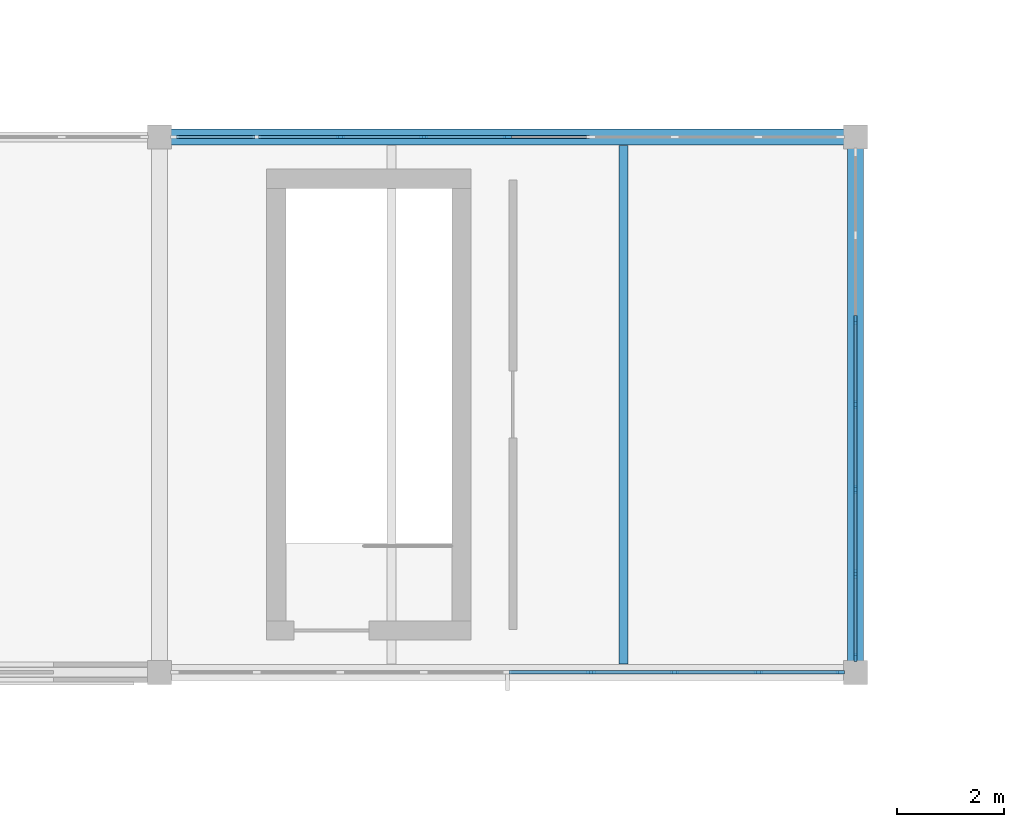
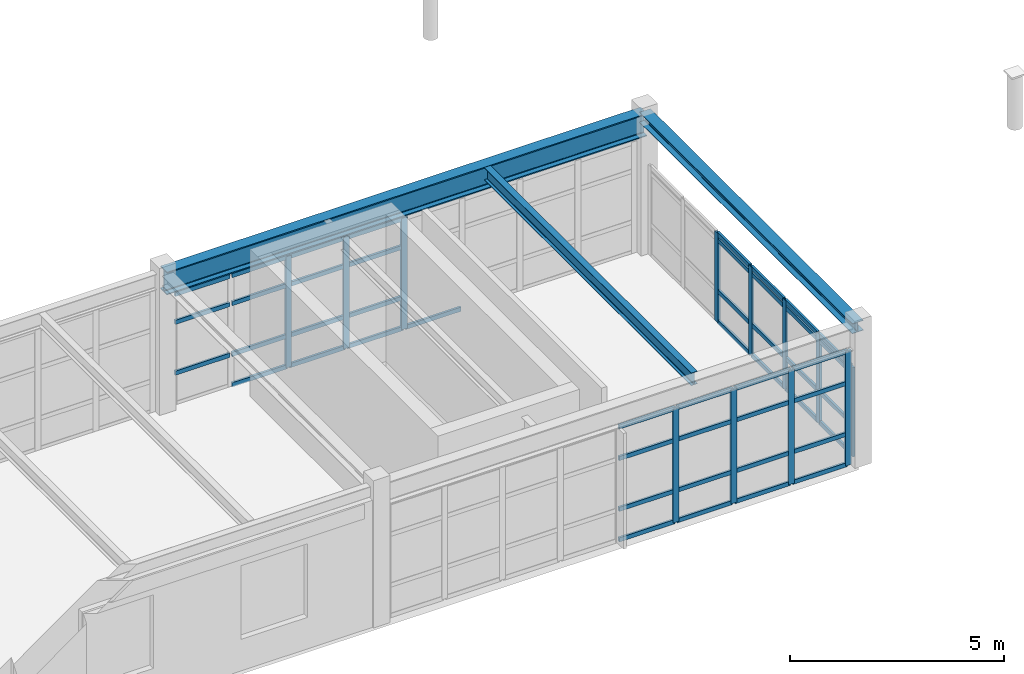
# One storey, part 29 of 122: 60 members, 3 beams, 3 elements without a shape of their own.
"""IFC4 building model written with IfcOpenShell, lengths in metres."""

from ifc_helpers import new_model, si_unit, direction, frame, origin, origin_2d, place, context, subcontext, project, spatial, rectangle, i_section, extrude, material, layer, layer_set, material_profile, profile_set, type_object, element, aggregate, save


model = new_model("IFC4")

# Units and contexts
model_context = context("Model", 3, precision=1e-05, world=origin(), true_north=direction((0.0, 1.0)))
body_context = subcontext(model_context, "Body", "Model", "MODEL_VIEW")
ifc_project = project(units=[si_unit("LENGTHUNIT", "METRE"), si_unit("AREAUNIT", "SQUARE_METRE"), si_unit("VOLUMEUNIT", "CUBIC_METRE"), si_unit("PLANEANGLEUNIT", "RADIAN"), si_unit("MASSUNIT", "GRAM", prefix="KILO"), si_unit("THERMODYNAMICTEMPERATUREUNIT", "KELVIN"), si_unit("POWERUNIT", "WATT")], contexts=[model_context])

# Site, building, storey
site_placement = place(None, origin())
site = spatial("IfcSite", under=ifc_project, at=site_placement, CompositionType="ELEMENT")
building_placement = place(site_placement, origin())
building = spatial("IfcBuilding", under=site, at=building_placement, Name="Korenveer Ferry Terminal", CompositionType="ELEMENT")
storey_placement = place(building_placement, frame((0.0, 0.0, 10.199951171875)))
storey = spatial("IfcBuildingStorey", under=building, at=storey_placement, Name="L02", CompositionType="ELEMENT", Elevation=10.199951171875)

# Curtain wall, members
ifc_material_1 = material(Name="Unitised bronze-and-glass curtain wall", Category="glass")
ifc_layer_1 = layer(ifc_material_1, 0.159912109375)
ifc_layer_set_1 = layer_set([ifc_layer_1], Name="Unitised bronze-and-glass curtain wall")
curtain_wall_type_1 = type_object("IfcCurtainWallType", Name="ENV-CW-84", PredefinedType="USERDEFINED", material=ifc_layer_set_1)
curtain_wall_1_placement = place(storey_placement, frame((40.2548828125, 20.0, 0.0)))
curtain_wall_1 = element("IfcCurtainWall", 1, at=curtain_wall_1_placement, inside=storey, type_object=curtain_wall_type_1, Name="Lancet curtain wall CWX-L02-X40-53-Y20-20", ObjectType="UNITISED CURTAIN WALL", PredefinedType="USERDEFINED")
ifc_material_2 = material(Name="Anodised bronze aluminium", Category="aluminium")
ifc_material_profile_1 = material_profile(ifc_material_2, rectangle(XDim=0.06005859375, YDim=0.159912109375, at=origin_2d()), Name="ALU 60x160")
ifc_profile_set_1 = profile_set([ifc_material_profile_1], Name="Anodised bronze aluminium")
member_type_1 = type_object("IfcMemberType", Name="ENV-CWM-60X160", PredefinedType="MULLION", material=ifc_profile_set_1)
member_1_placement = place(storey_placement, frame((48.061279296875, 20.0, 0.0), z_axis=(0.0, 0.0, 1.0), x_axis=(0.0, 1.0, 0.0)))
member_1 = element("IfcMember", 2, at=member_1_placement, type_object=member_type_1, Name="CW-84 mullion 6", PredefinedType="MULLION", context=body_context, shape_type="SweptSolid", body=[
    extrude(rectangle(XDim=0.06005859375, YDim=0.159912109375, at=origin_2d()), origin(), (0.0, 0.0, 1.0), 3.280029296875),
])
member_2_placement = place(storey_placement, frame((49.62255859375, 20.0, 0.0), z_axis=(0.0, 0.0, 1.0), x_axis=(0.0, 1.0, 0.0)))
member_2 = element("IfcMember", 3, at=member_2_placement, type_object=member_type_1, Name="CW-84 mullion 7", PredefinedType="MULLION", context=body_context, shape_type="SweptSolid", body=[
    extrude(rectangle(XDim=0.06005859375, YDim=0.159912109375, at=origin_2d()), origin(), (0.0, 0.0, 1.0), 3.280029296875),
])
member_3_placement = place(storey_placement, frame((51.183837890625, 20.0, 0.0), z_axis=(0.0, 0.0, 1.0), x_axis=(0.0, 1.0, 0.0)))
member_3 = element("IfcMember", 4, at=member_3_placement, type_object=member_type_1, Name="CW-84 mullion 8", PredefinedType="MULLION", context=body_context, shape_type="SweptSolid", body=[
    extrude(rectangle(XDim=0.06005859375, YDim=0.159912109375, at=origin_2d()), origin(), (0.0, 0.0, 1.0), 3.280029296875),
])
member_4_placement = place(storey_placement, frame((52.715087890625, 20.0, 0.0), z_axis=(0.0, 0.0, 1.0), x_axis=(0.0, 1.0, 0.0)))
member_4 = element("IfcMember", 5, at=member_4_placement, type_object=member_type_1, Name="CW-84 mullion 9", PredefinedType="MULLION", context=body_context, shape_type="SweptSolid", body=[
    extrude(rectangle(XDim=0.06005859375, YDim=0.159912109375, at=origin_2d()), origin(), (0.0, 0.0, 1.0), 3.280029296875),
])

ifc_layer_2 = layer(ifc_material_1, 0.159912109375)
ifc_layer_set_2 = layer_set([ifc_layer_2], Name="Unitised bronze-and-glass curtain wall")
curtain_wall_type_2 = type_object("IfcCurtainWallType", Name="ENV-CW-85", PredefinedType="USERDEFINED", material=ifc_layer_set_2)
curtain_wall_2_placement = place(storey_placement, frame((40.2548828125, 30.0, 0.0)))
curtain_wall_2 = element("IfcCurtainWall", 6, at=curtain_wall_2_placement, inside=storey, type_object=curtain_wall_type_2, Name="Lancet curtain wall CWX-L02-X40-53-Y30-30", ObjectType="UNITISED CURTAIN WALL", PredefinedType="USERDEFINED")
member_5_placement = place(storey_placement, frame((43.37744140625, 30.0, 0.0), z_axis=(0.0, 0.0, 1.0), x_axis=(0.0, 1.0, 0.0)))
member_5 = element("IfcMember", 7, at=member_5_placement, type_object=member_type_1, Name="CW-85 mullion 3", PredefinedType="MULLION", context=body_context, shape_type="SweptSolid", body=[
    extrude(rectangle(XDim=0.06005859375, YDim=0.159912109375, at=origin_2d()), origin(), (0.0, 0.0, 1.0), 3.179931640625),
])
member_6_placement = place(storey_placement, frame((44.938720703125, 30.0, 0.0), z_axis=(0.0, 0.0, 1.0), x_axis=(0.0, 1.0, 0.0)))
member_6 = element("IfcMember", 8, at=member_6_placement, type_object=member_type_1, Name="CW-85 mullion 4", PredefinedType="MULLION", context=body_context, shape_type="SweptSolid", body=[
    extrude(rectangle(XDim=0.06005859375, YDim=0.159912109375, at=origin_2d()), origin(), (0.0, 0.0, 1.0), 3.179931640625),
])
member_7_placement = place(storey_placement, frame((46.5, 30.0, 0.0), z_axis=(0.0, 0.0, 1.0), x_axis=(0.0, 1.0, 0.0)))
member_7 = element("IfcMember", 9, at=member_7_placement, type_object=member_type_1, Name="CW-85 mullion 5", PredefinedType="MULLION", context=body_context, shape_type="SweptSolid", body=[
    extrude(rectangle(XDim=0.06005859375, YDim=0.159912109375, at=origin_2d()), origin(), (0.0, 0.0, 1.0), 3.179931640625),
])

ifc_layer_3 = layer(ifc_material_1, 0.159912109375)
ifc_layer_set_3 = layer_set([ifc_layer_3], Name="Unitised bronze-and-glass curtain wall")
curtain_wall_type_3 = type_object("IfcCurtainWallType", Name="ENV-CW-114", PredefinedType="USERDEFINED", material=ifc_layer_set_3)
curtain_wall_3_placement = place(storey_placement, frame((53.0, 29.7451171875, 0.0)))
curtain_wall_3 = element("IfcCurtainWall", 10, at=curtain_wall_3_placement, inside=storey, type_object=curtain_wall_type_3, Name="Lancet curtain wall CWX-L02-X53-53-Y20-30", ObjectType="UNITISED CURTAIN WALL", PredefinedType="USERDEFINED")
member_8_placement = place(storey_placement, frame((53.0, 26.581787109375, 0.0), z_axis=(0.0, 0.0, 1.0), x_axis=(1.0, 0.0, 0.0)))
member_8 = element("IfcMember", 11, at=member_8_placement, type_object=member_type_1, Name="CW-114 mullion 3", PredefinedType="MULLION", context=body_context, shape_type="SweptSolid", body=[
    extrude(rectangle(XDim=0.06005859375, YDim=0.159912109375, at=origin_2d()), origin(), (0.0, 0.0, 1.0), 2.550048828125),
])
member_9_placement = place(storey_placement, frame((53.0, 25.0, 0.0), z_axis=(0.0, 0.0, 1.0), x_axis=(1.0, 0.0, 0.0)))
member_9 = element("IfcMember", 12, at=member_9_placement, type_object=member_type_1, Name="CW-114 mullion 4", PredefinedType="MULLION", context=body_context, shape_type="SweptSolid", body=[
    extrude(rectangle(XDim=0.06005859375, YDim=0.159912109375, at=origin_2d()), origin(), (0.0, 0.0, 1.0), 2.550048828125),
])
member_10_placement = place(storey_placement, frame((53.0, 23.418212890625, 0.0), z_axis=(0.0, 0.0, 1.0), x_axis=(1.0, 0.0, 0.0)))
member_10 = element("IfcMember", 13, at=member_10_placement, type_object=member_type_1, Name="CW-114 mullion 5", PredefinedType="MULLION", context=body_context, shape_type="SweptSolid", body=[
    extrude(rectangle(XDim=0.06005859375, YDim=0.159912109375, at=origin_2d()), origin(), (0.0, 0.0, 1.0), 2.550048828125),
])
member_11_placement = place(storey_placement, frame((53.0, 21.836669921875, 0.0), z_axis=(0.0, 0.0, 1.0), x_axis=(1.0, 0.0, 0.0)))
member_11 = element("IfcMember", 14, at=member_11_placement, type_object=member_type_1, Name="CW-114 mullion 6", PredefinedType="MULLION", context=body_context, shape_type="SweptSolid", body=[
    extrude(rectangle(XDim=0.06005859375, YDim=0.159912109375, at=origin_2d()), origin(), (0.0, 0.0, 1.0), 2.550048828125),
])
member_12_placement = place(storey_placement, frame((53.0, 20.284912109375, 0.0), z_axis=(0.0, 0.0, 1.0), x_axis=(1.0, 0.0, 0.0)))
member_12 = element("IfcMember", 15, at=member_12_placement, type_object=member_type_1, Name="CW-114 mullion 7", PredefinedType="MULLION", context=body_context, shape_type="SweptSolid", body=[
    extrude(rectangle(XDim=0.06005859375, YDim=0.159912109375, at=origin_2d()), origin(), (0.0, 0.0, 1.0), 2.550048828125),
])

# Member
ifc_material_profile_2 = material_profile(ifc_material_2, rectangle(XDim=0.06005859375, YDim=0.1201171875, at=origin_2d()), Name="ALU 60x120")
ifc_profile_set_2 = profile_set([ifc_material_profile_2], Name="Anodised bronze aluminium")
member_type_2 = type_object("IfcMemberType", Name="ENV-CWT-60X120", PredefinedType="USERDEFINED", material=ifc_profile_set_2)
member_13_placement = place(storey_placement, frame((46.530029296875, 20.0, 0.030029296875), z_axis=(1.0, 0.0, 0.0), x_axis=(0.0, 1.0, 0.0)))
member_13 = element("IfcMember", 16, at=member_13_placement, type_object=member_type_2, Name="CW-84 transom 5.1", ObjectType="TRANSOM", PredefinedType="USERDEFINED", context=body_context, shape_type="SweptSolid", body=[
    extrude(rectangle(XDim=0.06005859375, YDim=0.1201171875, at=origin_2d()), origin(), (0.0, 0.0, 1.0), 1.501220703125),
])

member_14_placement = place(storey_placement, frame((46.530029296875, 20.0, 0.900146484375), z_axis=(1.0, 0.0, 0.0), x_axis=(0.0, 1.0, 0.0)))
member_14 = element("IfcMember", 17, at=member_14_placement, type_object=member_type_2, Name="CW-84 transom 5.2", ObjectType="TRANSOM", PredefinedType="USERDEFINED", context=body_context, shape_type="SweptSolid", body=[
    extrude(rectangle(XDim=0.06005859375, YDim=0.1201171875, at=origin_2d()), origin(), (0.0, 0.0, 1.0), 1.501220703125),
])

member_15_placement = place(storey_placement, frame((46.530029296875, 20.0, 2.35009765625), z_axis=(1.0, 0.0, 0.0), x_axis=(0.0, 1.0, 0.0)))
member_15 = element("IfcMember", 18, at=member_15_placement, type_object=member_type_2, Name="CW-84 transom 5.3", ObjectType="TRANSOM", PredefinedType="USERDEFINED", context=body_context, shape_type="SweptSolid", body=[
    extrude(rectangle(XDim=0.06005859375, YDim=0.1201171875, at=origin_2d()), origin(), (0.0, 0.0, 1.0), 1.501220703125),
])

member_16_placement = place(storey_placement, frame((46.530029296875, 20.0, 3.25), z_axis=(1.0, 0.0, 0.0), x_axis=(0.0, 1.0, 0.0)))
member_16 = element("IfcMember", 19, at=member_16_placement, type_object=member_type_2, Name="CW-84 transom 5.4", ObjectType="TRANSOM", PredefinedType="USERDEFINED", context=body_context, shape_type="SweptSolid", body=[
    extrude(rectangle(XDim=0.06005859375, YDim=0.1201171875, at=origin_2d()), origin(), (0.0, 0.0, 1.0), 1.501220703125),
])

member_17_placement = place(storey_placement, frame((48.09130859375, 20.0, 0.030029296875), z_axis=(1.0, 0.0, 0.0), x_axis=(0.0, 1.0, 0.0)))
member_17 = element("IfcMember", 20, at=member_17_placement, type_object=member_type_2, Name="CW-84 transom 6.1", ObjectType="TRANSOM", PredefinedType="USERDEFINED", context=body_context, shape_type="SweptSolid", body=[
    extrude(rectangle(XDim=0.06005859375, YDim=0.1201171875, at=origin_2d()), origin(), (0.0, 0.0, 1.0), 1.501220703125),
])

member_18_placement = place(storey_placement, frame((48.09130859375, 20.0, 0.900146484375), z_axis=(1.0, 0.0, 0.0), x_axis=(0.0, 1.0, 0.0)))
member_18 = element("IfcMember", 21, at=member_18_placement, type_object=member_type_2, Name="CW-84 transom 6.2", ObjectType="TRANSOM", PredefinedType="USERDEFINED", context=body_context, shape_type="SweptSolid", body=[
    extrude(rectangle(XDim=0.06005859375, YDim=0.1201171875, at=origin_2d()), origin(), (0.0, 0.0, 1.0), 1.501220703125),
])

member_19_placement = place(storey_placement, frame((48.09130859375, 20.0, 2.35009765625), z_axis=(1.0, 0.0, 0.0), x_axis=(0.0, 1.0, 0.0)))
member_19 = element("IfcMember", 22, at=member_19_placement, type_object=member_type_2, Name="CW-84 transom 6.3", ObjectType="TRANSOM", PredefinedType="USERDEFINED", context=body_context, shape_type="SweptSolid", body=[
    extrude(rectangle(XDim=0.06005859375, YDim=0.1201171875, at=origin_2d()), origin(), (0.0, 0.0, 1.0), 1.501220703125),
])

member_20_placement = place(storey_placement, frame((48.09130859375, 20.0, 3.25), z_axis=(1.0, 0.0, 0.0), x_axis=(0.0, 1.0, 0.0)))
member_20 = element("IfcMember", 23, at=member_20_placement, type_object=member_type_2, Name="CW-84 transom 6.4", ObjectType="TRANSOM", PredefinedType="USERDEFINED", context=body_context, shape_type="SweptSolid", body=[
    extrude(rectangle(XDim=0.06005859375, YDim=0.1201171875, at=origin_2d()), origin(), (0.0, 0.0, 1.0), 1.501220703125),
])

member_21_placement = place(storey_placement, frame((49.652587890625, 20.0, 0.030029296875), z_axis=(1.0, 0.0, 0.0), x_axis=(0.0, 1.0, 0.0)))
member_21 = element("IfcMember", 24, at=member_21_placement, type_object=member_type_2, Name="CW-84 transom 7.1", ObjectType="TRANSOM", PredefinedType="USERDEFINED", context=body_context, shape_type="SweptSolid", body=[
    extrude(rectangle(XDim=0.06005859375, YDim=0.1201171875, at=origin_2d()), origin(), (0.0, 0.0, 1.0), 1.501220703125),
])

member_22_placement = place(storey_placement, frame((49.652587890625, 20.0, 0.900146484375), z_axis=(1.0, 0.0, 0.0), x_axis=(0.0, 1.0, 0.0)))
member_22 = element("IfcMember", 25, at=member_22_placement, type_object=member_type_2, Name="CW-84 transom 7.2", ObjectType="TRANSOM", PredefinedType="USERDEFINED", context=body_context, shape_type="SweptSolid", body=[
    extrude(rectangle(XDim=0.06005859375, YDim=0.1201171875, at=origin_2d()), origin(), (0.0, 0.0, 1.0), 1.501220703125),
])

member_23_placement = place(storey_placement, frame((49.652587890625, 20.0, 2.35009765625), z_axis=(1.0, 0.0, 0.0), x_axis=(0.0, 1.0, 0.0)))
member_23 = element("IfcMember", 26, at=member_23_placement, type_object=member_type_2, Name="CW-84 transom 7.3", ObjectType="TRANSOM", PredefinedType="USERDEFINED", context=body_context, shape_type="SweptSolid", body=[
    extrude(rectangle(XDim=0.06005859375, YDim=0.1201171875, at=origin_2d()), origin(), (0.0, 0.0, 1.0), 1.501220703125),
])

member_24_placement = place(storey_placement, frame((49.652587890625, 20.0, 3.25), z_axis=(1.0, 0.0, 0.0), x_axis=(0.0, 1.0, 0.0)))
member_24 = element("IfcMember", 27, at=member_24_placement, type_object=member_type_2, Name="CW-84 transom 7.4", ObjectType="TRANSOM", PredefinedType="USERDEFINED", context=body_context, shape_type="SweptSolid", body=[
    extrude(rectangle(XDim=0.06005859375, YDim=0.1201171875, at=origin_2d()), origin(), (0.0, 0.0, 1.0), 1.501220703125),
])

member_25_placement = place(storey_placement, frame((51.2138671875, 20.0, 0.030029296875), z_axis=(1.0, 0.0, 0.0), x_axis=(0.0, 1.0, 0.0)))
member_25 = element("IfcMember", 28, at=member_25_placement, type_object=member_type_2, Name="CW-84 transom 8.1", ObjectType="TRANSOM", PredefinedType="USERDEFINED", context=body_context, shape_type="SweptSolid", body=[
    extrude(rectangle(XDim=0.06005859375, YDim=0.1201171875, at=origin_2d()), origin(), (0.0, 0.0, 1.0), 1.47119140625),
])

member_26_placement = place(storey_placement, frame((51.2138671875, 20.0, 0.900146484375), z_axis=(1.0, 0.0, 0.0), x_axis=(0.0, 1.0, 0.0)))
member_26 = element("IfcMember", 29, at=member_26_placement, type_object=member_type_2, Name="CW-84 transom 8.2", ObjectType="TRANSOM", PredefinedType="USERDEFINED", context=body_context, shape_type="SweptSolid", body=[
    extrude(rectangle(XDim=0.06005859375, YDim=0.1201171875, at=origin_2d()), origin(), (0.0, 0.0, 1.0), 1.47119140625),
])

member_27_placement = place(storey_placement, frame((51.2138671875, 20.0, 2.35009765625), z_axis=(1.0, 0.0, 0.0), x_axis=(0.0, 1.0, 0.0)))
member_27 = element("IfcMember", 30, at=member_27_placement, type_object=member_type_2, Name="CW-84 transom 8.3", ObjectType="TRANSOM", PredefinedType="USERDEFINED", context=body_context, shape_type="SweptSolid", body=[
    extrude(rectangle(XDim=0.06005859375, YDim=0.1201171875, at=origin_2d()), origin(), (0.0, 0.0, 1.0), 1.47119140625),
])

member_28_placement = place(storey_placement, frame((51.2138671875, 20.0, 3.25), z_axis=(1.0, 0.0, 0.0), x_axis=(0.0, 1.0, 0.0)))
member_28 = element("IfcMember", 31, at=member_28_placement, type_object=member_type_2, Name="CW-84 transom 8.4", ObjectType="TRANSOM", PredefinedType="USERDEFINED", context=body_context, shape_type="SweptSolid", body=[
    extrude(rectangle(XDim=0.06005859375, YDim=0.1201171875, at=origin_2d()), origin(), (0.0, 0.0, 1.0), 1.47119140625),
])

aggregate(curtain_wall_1, [member_1, member_2, member_3, member_4, member_13, member_14, member_15, member_16, member_17, member_18, member_19, member_20, member_21, member_22, member_23, member_24, member_25, member_26, member_27, member_28])

member_29_placement = place(storey_placement, frame((40.31494140625, 30.0, 0.900146484375), z_axis=(1.0, 0.0, 0.0), x_axis=(0.0, 1.0, 0.0)))
member_29 = element("IfcMember", 32, at=member_29_placement, type_object=member_type_2, Name="CW-85 transom 1.2", ObjectType="TRANSOM", PredefinedType="USERDEFINED", context=body_context, shape_type="SweptSolid", body=[
    extrude(rectangle(XDim=0.06005859375, YDim=0.1201171875, at=origin_2d()), origin(), (0.0, 0.0, 1.0), 1.47119140625),
])

member_30_placement = place(storey_placement, frame((40.31494140625, 30.0, 2.35009765625), z_axis=(1.0, 0.0, 0.0), x_axis=(0.0, 1.0, 0.0)))
member_30 = element("IfcMember", 33, at=member_30_placement, type_object=member_type_2, Name="CW-85 transom 1.3", ObjectType="TRANSOM", PredefinedType="USERDEFINED", context=body_context, shape_type="SweptSolid", body=[
    extrude(rectangle(XDim=0.06005859375, YDim=0.1201171875, at=origin_2d()), origin(), (0.0, 0.0, 1.0), 1.47119140625),
])

member_31_placement = place(storey_placement, frame((40.31494140625, 30.0, 3.150146484375), z_axis=(1.0, 0.0, 0.0), x_axis=(0.0, 1.0, 0.0)))
member_31 = element("IfcMember", 34, at=member_31_placement, type_object=member_type_2, Name="CW-85 transom 1.4", ObjectType="TRANSOM", PredefinedType="USERDEFINED", context=body_context, shape_type="SweptSolid", body=[
    extrude(rectangle(XDim=0.06005859375, YDim=0.1201171875, at=origin_2d()), origin(), (0.0, 0.0, 1.0), 1.47119140625),
])

member_32_placement = place(storey_placement, frame((41.84619140625, 30.0, 0.030029296875), z_axis=(1.0, 0.0, 0.0), x_axis=(0.0, 1.0, 0.0)))
member_32 = element("IfcMember", 35, at=member_32_placement, type_object=member_type_2, Name="CW-85 transom 2.1", ObjectType="TRANSOM", PredefinedType="USERDEFINED", context=body_context, shape_type="SweptSolid", body=[
    extrude(rectangle(XDim=0.06005859375, YDim=0.1201171875, at=origin_2d()), origin(), (0.0, 0.0, 1.0), 1.501220703125),
])

member_33_placement = place(storey_placement, frame((41.84619140625, 30.0, 0.900146484375), z_axis=(1.0, 0.0, 0.0), x_axis=(0.0, 1.0, 0.0)))
member_33 = element("IfcMember", 36, at=member_33_placement, type_object=member_type_2, Name="CW-85 transom 2.2", ObjectType="TRANSOM", PredefinedType="USERDEFINED", context=body_context, shape_type="SweptSolid", body=[
    extrude(rectangle(XDim=0.06005859375, YDim=0.1201171875, at=origin_2d()), origin(), (0.0, 0.0, 1.0), 1.501220703125),
])

member_34_placement = place(storey_placement, frame((41.84619140625, 30.0, 2.35009765625), z_axis=(1.0, 0.0, 0.0), x_axis=(0.0, 1.0, 0.0)))
member_34 = element("IfcMember", 37, at=member_34_placement, type_object=member_type_2, Name="CW-85 transom 2.3", ObjectType="TRANSOM", PredefinedType="USERDEFINED", context=body_context, shape_type="SweptSolid", body=[
    extrude(rectangle(XDim=0.06005859375, YDim=0.1201171875, at=origin_2d()), origin(), (0.0, 0.0, 1.0), 1.501220703125),
])

member_35_placement = place(storey_placement, frame((41.84619140625, 30.0, 3.150146484375), z_axis=(1.0, 0.0, 0.0), x_axis=(0.0, 1.0, 0.0)))
member_35 = element("IfcMember", 38, at=member_35_placement, type_object=member_type_2, Name="CW-85 transom 2.4", ObjectType="TRANSOM", PredefinedType="USERDEFINED", context=body_context, shape_type="SweptSolid", body=[
    extrude(rectangle(XDim=0.06005859375, YDim=0.1201171875, at=origin_2d()), origin(), (0.0, 0.0, 1.0), 1.501220703125),
])

member_36_placement = place(storey_placement, frame((43.407470703125, 30.0, 0.030029296875), z_axis=(1.0, 0.0, 0.0), x_axis=(0.0, 1.0, 0.0)))
member_36 = element("IfcMember", 39, at=member_36_placement, type_object=member_type_2, Name="CW-85 transom 3.1", ObjectType="TRANSOM", PredefinedType="USERDEFINED", context=body_context, shape_type="SweptSolid", body=[
    extrude(rectangle(XDim=0.06005859375, YDim=0.1201171875, at=origin_2d()), origin(), (0.0, 0.0, 1.0), 1.501220703125),
])

member_37_placement = place(storey_placement, frame((43.407470703125, 30.0, 0.900146484375), z_axis=(1.0, 0.0, 0.0), x_axis=(0.0, 1.0, 0.0)))
member_37 = element("IfcMember", 40, at=member_37_placement, type_object=member_type_2, Name="CW-85 transom 3.2", ObjectType="TRANSOM", PredefinedType="USERDEFINED", context=body_context, shape_type="SweptSolid", body=[
    extrude(rectangle(XDim=0.06005859375, YDim=0.1201171875, at=origin_2d()), origin(), (0.0, 0.0, 1.0), 1.501220703125),
])

member_38_placement = place(storey_placement, frame((43.407470703125, 30.0, 2.35009765625), z_axis=(1.0, 0.0, 0.0), x_axis=(0.0, 1.0, 0.0)))
member_38 = element("IfcMember", 41, at=member_38_placement, type_object=member_type_2, Name="CW-85 transom 3.3", ObjectType="TRANSOM", PredefinedType="USERDEFINED", context=body_context, shape_type="SweptSolid", body=[
    extrude(rectangle(XDim=0.06005859375, YDim=0.1201171875, at=origin_2d()), origin(), (0.0, 0.0, 1.0), 1.501220703125),
])

member_39_placement = place(storey_placement, frame((43.407470703125, 30.0, 3.150146484375), z_axis=(1.0, 0.0, 0.0), x_axis=(0.0, 1.0, 0.0)))
member_39 = element("IfcMember", 42, at=member_39_placement, type_object=member_type_2, Name="CW-85 transom 3.4", ObjectType="TRANSOM", PredefinedType="USERDEFINED", context=body_context, shape_type="SweptSolid", body=[
    extrude(rectangle(XDim=0.06005859375, YDim=0.1201171875, at=origin_2d()), origin(), (0.0, 0.0, 1.0), 1.501220703125),
])

member_40_placement = place(storey_placement, frame((44.96875, 30.0, 0.030029296875), z_axis=(1.0, 0.0, 0.0), x_axis=(0.0, 1.0, 0.0)))
member_40 = element("IfcMember", 43, at=member_40_placement, type_object=member_type_2, Name="CW-85 transom 4.1", ObjectType="TRANSOM", PredefinedType="USERDEFINED", context=body_context, shape_type="SweptSolid", body=[
    extrude(rectangle(XDim=0.06005859375, YDim=0.1201171875, at=origin_2d()), origin(), (0.0, 0.0, 1.0), 1.501220703125),
])

member_41_placement = place(storey_placement, frame((44.96875, 30.0, 0.900146484375), z_axis=(1.0, 0.0, 0.0), x_axis=(0.0, 1.0, 0.0)))
member_41 = element("IfcMember", 44, at=member_41_placement, type_object=member_type_2, Name="CW-85 transom 4.2", ObjectType="TRANSOM", PredefinedType="USERDEFINED", context=body_context, shape_type="SweptSolid", body=[
    extrude(rectangle(XDim=0.06005859375, YDim=0.1201171875, at=origin_2d()), origin(), (0.0, 0.0, 1.0), 1.501220703125),
])

member_42_placement = place(storey_placement, frame((44.96875, 30.0, 2.35009765625), z_axis=(1.0, 0.0, 0.0), x_axis=(0.0, 1.0, 0.0)))
member_42 = element("IfcMember", 45, at=member_42_placement, type_object=member_type_2, Name="CW-85 transom 4.3", ObjectType="TRANSOM", PredefinedType="USERDEFINED", context=body_context, shape_type="SweptSolid", body=[
    extrude(rectangle(XDim=0.06005859375, YDim=0.1201171875, at=origin_2d()), origin(), (0.0, 0.0, 1.0), 1.501220703125),
])

member_43_placement = place(storey_placement, frame((44.96875, 30.0, 3.150146484375), z_axis=(1.0, 0.0, 0.0), x_axis=(0.0, 1.0, 0.0)))
member_43 = element("IfcMember", 46, at=member_43_placement, type_object=member_type_2, Name="CW-85 transom 4.4", ObjectType="TRANSOM", PredefinedType="USERDEFINED", context=body_context, shape_type="SweptSolid", body=[
    extrude(rectangle(XDim=0.06005859375, YDim=0.1201171875, at=origin_2d()), origin(), (0.0, 0.0, 1.0), 1.501220703125),
])

member_44_placement = place(storey_placement, frame((46.530029296875, 30.0, 0.030029296875), z_axis=(1.0, 0.0, 0.0), x_axis=(0.0, 1.0, 0.0)))
member_44 = element("IfcMember", 47, at=member_44_placement, type_object=member_type_2, Name="CW-85 transom 5.1", ObjectType="TRANSOM", PredefinedType="USERDEFINED", context=body_context, shape_type="SweptSolid", body=[
    extrude(rectangle(XDim=0.06005859375, YDim=0.1201171875, at=origin_2d()), origin(), (0.0, 0.0, 1.0), 1.501220703125),
])

aggregate(curtain_wall_2, [member_5, member_6, member_7, member_29, member_30, member_31, member_32, member_33, member_34, member_35, member_36, member_37, member_38, member_39, member_40, member_41, member_42, member_43, member_44])

member_45_placement = place(storey_placement, frame((53.0, 26.5517578125, 0.030029296875), z_axis=(0.0, -1.0, 0.0), x_axis=(1.0, 0.0, 0.0)))
member_45 = element("IfcMember", 48, at=member_45_placement, type_object=member_type_2, Name="CW-114 transom 3.1", ObjectType="TRANSOM", PredefinedType="USERDEFINED", context=body_context, shape_type="SweptSolid", body=[
    extrude(rectangle(XDim=0.06005859375, YDim=0.1201171875, at=origin_2d()), origin(), (0.0, 0.0, 1.0), 1.521728515625),
])

member_46_placement = place(storey_placement, frame((53.0, 26.5517578125, 0.900146484375), z_axis=(0.0, -1.0, 0.0), x_axis=(1.0, 0.0, 0.0)))
member_46 = element("IfcMember", 49, at=member_46_placement, type_object=member_type_2, Name="CW-114 transom 3.2", ObjectType="TRANSOM", PredefinedType="USERDEFINED", context=body_context, shape_type="SweptSolid", body=[
    extrude(rectangle(XDim=0.06005859375, YDim=0.1201171875, at=origin_2d()), origin(), (0.0, 0.0, 1.0), 1.521728515625),
])

member_47_placement = place(storey_placement, frame((53.0, 26.5517578125, 2.35009765625), z_axis=(0.0, -1.0, 0.0), x_axis=(1.0, 0.0, 0.0)))
member_47 = element("IfcMember", 50, at=member_47_placement, type_object=member_type_2, Name="CW-114 transom 3.3", ObjectType="TRANSOM", PredefinedType="USERDEFINED", context=body_context, shape_type="SweptSolid", body=[
    extrude(rectangle(XDim=0.06005859375, YDim=0.1201171875, at=origin_2d()), origin(), (0.0, 0.0, 1.0), 1.521728515625),
])

member_48_placement = place(storey_placement, frame((53.0, 26.5517578125, 2.52001953125), z_axis=(0.0, -1.0, 0.0), x_axis=(1.0, 0.0, 0.0)))
member_48 = element("IfcMember", 51, at=member_48_placement, type_object=member_type_2, Name="CW-114 transom 3.4", ObjectType="TRANSOM", PredefinedType="USERDEFINED", context=body_context, shape_type="SweptSolid", body=[
    extrude(rectangle(XDim=0.06005859375, YDim=0.1201171875, at=origin_2d()), origin(), (0.0, 0.0, 1.0), 1.521728515625),
])

member_49_placement = place(storey_placement, frame((53.0, 24.969970703125, 0.030029296875), z_axis=(0.0, -1.0, 0.0), x_axis=(1.0, 0.0, 0.0)))
member_49 = element("IfcMember", 52, at=member_49_placement, type_object=member_type_2, Name="CW-114 transom 4.1", ObjectType="TRANSOM", PredefinedType="USERDEFINED", context=body_context, shape_type="SweptSolid", body=[
    extrude(rectangle(XDim=0.06005859375, YDim=0.1201171875, at=origin_2d()), origin(), (0.0, 0.0, 1.0), 1.521728515625),
])

member_50_placement = place(storey_placement, frame((53.0, 24.969970703125, 0.900146484375), z_axis=(0.0, -1.0, 0.0), x_axis=(1.0, 0.0, 0.0)))
member_50 = element("IfcMember", 53, at=member_50_placement, type_object=member_type_2, Name="CW-114 transom 4.2", ObjectType="TRANSOM", PredefinedType="USERDEFINED", context=body_context, shape_type="SweptSolid", body=[
    extrude(rectangle(XDim=0.06005859375, YDim=0.1201171875, at=origin_2d()), origin(), (0.0, 0.0, 1.0), 1.521728515625),
])

member_51_placement = place(storey_placement, frame((53.0, 24.969970703125, 2.35009765625), z_axis=(0.0, -1.0, 0.0), x_axis=(1.0, 0.0, 0.0)))
member_51 = element("IfcMember", 54, at=member_51_placement, type_object=member_type_2, Name="CW-114 transom 4.3", ObjectType="TRANSOM", PredefinedType="USERDEFINED", context=body_context, shape_type="SweptSolid", body=[
    extrude(rectangle(XDim=0.06005859375, YDim=0.1201171875, at=origin_2d()), origin(), (0.0, 0.0, 1.0), 1.521728515625),
])

member_52_placement = place(storey_placement, frame((53.0, 24.969970703125, 2.52001953125), z_axis=(0.0, -1.0, 0.0), x_axis=(1.0, 0.0, 0.0)))
member_52 = element("IfcMember", 55, at=member_52_placement, type_object=member_type_2, Name="CW-114 transom 4.4", ObjectType="TRANSOM", PredefinedType="USERDEFINED", context=body_context, shape_type="SweptSolid", body=[
    extrude(rectangle(XDim=0.06005859375, YDim=0.1201171875, at=origin_2d()), origin(), (0.0, 0.0, 1.0), 1.521728515625),
])

member_53_placement = place(storey_placement, frame((53.0, 23.388427734375, 0.030029296875), z_axis=(0.0, -1.0, 0.0), x_axis=(1.0, 0.0, 0.0)))
member_53 = element("IfcMember", 56, at=member_53_placement, type_object=member_type_2, Name="CW-114 transom 5.1", ObjectType="TRANSOM", PredefinedType="USERDEFINED", context=body_context, shape_type="SweptSolid", body=[
    extrude(rectangle(XDim=0.06005859375, YDim=0.1201171875, at=origin_2d()), origin(), (0.0, 0.0, 1.0), 1.521728515625),
])

member_54_placement = place(storey_placement, frame((53.0, 23.388427734375, 0.900146484375), z_axis=(0.0, -1.0, 0.0), x_axis=(1.0, 0.0, 0.0)))
member_54 = element("IfcMember", 57, at=member_54_placement, type_object=member_type_2, Name="CW-114 transom 5.2", ObjectType="TRANSOM", PredefinedType="USERDEFINED", context=body_context, shape_type="SweptSolid", body=[
    extrude(rectangle(XDim=0.06005859375, YDim=0.1201171875, at=origin_2d()), origin(), (0.0, 0.0, 1.0), 1.521728515625),
])

member_55_placement = place(storey_placement, frame((53.0, 23.388427734375, 2.35009765625), z_axis=(0.0, -1.0, 0.0), x_axis=(1.0, 0.0, 0.0)))
member_55 = element("IfcMember", 58, at=member_55_placement, type_object=member_type_2, Name="CW-114 transom 5.3", ObjectType="TRANSOM", PredefinedType="USERDEFINED", context=body_context, shape_type="SweptSolid", body=[
    extrude(rectangle(XDim=0.06005859375, YDim=0.1201171875, at=origin_2d()), origin(), (0.0, 0.0, 1.0), 1.521728515625),
])

member_56_placement = place(storey_placement, frame((53.0, 23.388427734375, 2.52001953125), z_axis=(0.0, -1.0, 0.0), x_axis=(1.0, 0.0, 0.0)))
member_56 = element("IfcMember", 59, at=member_56_placement, type_object=member_type_2, Name="CW-114 transom 5.4", ObjectType="TRANSOM", PredefinedType="USERDEFINED", context=body_context, shape_type="SweptSolid", body=[
    extrude(rectangle(XDim=0.06005859375, YDim=0.1201171875, at=origin_2d()), origin(), (0.0, 0.0, 1.0), 1.521728515625),
])

member_57_placement = place(storey_placement, frame((53.0, 21.806640625, 0.030029296875), z_axis=(0.0, -1.0, 0.0), x_axis=(1.0, 0.0, 0.0)))
member_57 = element("IfcMember", 60, at=member_57_placement, type_object=member_type_2, Name="CW-114 transom 6.1", ObjectType="TRANSOM", PredefinedType="USERDEFINED", context=body_context, shape_type="SweptSolid", body=[
    extrude(rectangle(XDim=0.06005859375, YDim=0.1201171875, at=origin_2d()), origin(), (0.0, 0.0, 1.0), 1.49169921875),
])

member_58_placement = place(storey_placement, frame((53.0, 21.806640625, 0.900146484375), z_axis=(0.0, -1.0, 0.0), x_axis=(1.0, 0.0, 0.0)))
member_58 = element("IfcMember", 61, at=member_58_placement, type_object=member_type_2, Name="CW-114 transom 6.2", ObjectType="TRANSOM", PredefinedType="USERDEFINED", context=body_context, shape_type="SweptSolid", body=[
    extrude(rectangle(XDim=0.06005859375, YDim=0.1201171875, at=origin_2d()), origin(), (0.0, 0.0, 1.0), 1.49169921875),
])

member_59_placement = place(storey_placement, frame((53.0, 21.806640625, 2.35009765625), z_axis=(0.0, -1.0, 0.0), x_axis=(1.0, 0.0, 0.0)))
member_59 = element("IfcMember", 62, at=member_59_placement, type_object=member_type_2, Name="CW-114 transom 6.3", ObjectType="TRANSOM", PredefinedType="USERDEFINED", context=body_context, shape_type="SweptSolid", body=[
    extrude(rectangle(XDim=0.06005859375, YDim=0.1201171875, at=origin_2d()), origin(), (0.0, 0.0, 1.0), 1.49169921875),
])

member_60_placement = place(storey_placement, frame((53.0, 21.806640625, 2.52001953125), z_axis=(0.0, -1.0, 0.0), x_axis=(1.0, 0.0, 0.0)))
member_60 = element("IfcMember", 63, at=member_60_placement, type_object=member_type_2, Name="CW-114 transom 6.4", ObjectType="TRANSOM", PredefinedType="USERDEFINED", context=body_context, shape_type="SweptSolid", body=[
    extrude(rectangle(XDim=0.06005859375, YDim=0.1201171875, at=origin_2d()), origin(), (0.0, 0.0, 1.0), 1.49169921875),
])

aggregate(curtain_wall_3, [member_8, member_9, member_10, member_11, member_12, member_45, member_46, member_47, member_48, member_49, member_50, member_51, member_52, member_53, member_54, member_55, member_56, member_57, member_58, member_59, member_60])

# Beams
ifc_material_3 = material(Name="Steel S355", Category="steel")
ifc_material_profile_3 = material_profile(ifc_material_3, i_section(OverallWidth=0.300048828125, OverallDepth=0.2900390625, WebThickness=0.008544921875, FlangeThickness=0.013916015625, FilletRadius=0.027099609375, at=origin_2d()), Name="HEA 300")
ifc_profile_set_3 = profile_set([ifc_material_profile_3], Name="Steel S355")
beam_type_1 = type_object("IfcBeamType", Name="STR-BM-HEA300", PredefinedType="BEAM", material=ifc_profile_set_3)
beam_1_placement = place(storey_placement, frame((53.0, 20.02001953125, 3.81494140625), z_axis=(0.0, 1.0, 0.0), x_axis=(-1.0, 0.0, 0.0)))
element("IfcBeam", 64, at=beam_1_placement, inside=storey, type_object=beam_type_1, Name="Primary Y girder BMY-L03-X53-Y20-30", PredefinedType="BEAM", context=body_context, shape_type="SweptSolid", body=[
    extrude(i_section(OverallWidth=0.300048828125, OverallDepth=0.2900390625, WebThickness=0.008544921875, FlangeThickness=0.013916015625, FilletRadius=0.027099609375, at=origin_2d()), origin(), (0.0, 0.0, 1.0), 9.9599609375),
])
ifc_material_profile_4 = material_profile(ifc_material_3, i_section(OverallWidth=0.300048828125, OverallDepth=0.64990234375, WebThickness=0.01611328125, FlangeThickness=0.031005859375, FilletRadius=0.027099609375, at=origin_2d()), Name="HEB 650")
ifc_profile_set_4 = profile_set([ifc_material_profile_4], Name="Steel S355")
beam_type_2 = type_object("IfcBeamType", Name="STR-BM-HEB650", PredefinedType="BEAM", material=ifc_profile_set_4)
beam_2_placement = place(storey_placement, frame((40.02001953125, 30.0, 3.635009765625), z_axis=(1.0, 0.0, 0.0), x_axis=(0.0, 1.0, 0.0)))
element("IfcBeam", 65, at=beam_2_placement, inside=storey, type_object=beam_type_2, Name="Primary X girder BMX-L03-X40-53-Y30", PredefinedType="BEAM", context=body_context, shape_type="SweptSolid", body=[
    extrude(i_section(OverallWidth=0.300048828125, OverallDepth=0.64990234375, WebThickness=0.01611328125, FlangeThickness=0.031005859375, FilletRadius=0.027099609375, at=origin_2d()), origin(), (0.0, 0.0, 1.0), 12.9599609375),
])
ifc_material_profile_5 = material_profile(ifc_material_3, i_section(OverallWidth=0.169921875, OverallDepth=0.360107421875, WebThickness=0.008056640625, FlangeThickness=0.0126953125, FilletRadius=0.01806640625, at=origin_2d()), Name="IPE 360")
ifc_profile_set_5 = profile_set([ifc_material_profile_5], Name="Steel S355")
beam_type_3 = type_object("IfcBeamType", Name="STR-JST-IPE360", PredefinedType="JOIST", material=ifc_profile_set_5)
beam_3_placement = place(storey_placement, frame((48.666748046875, 20.159912109375, 3.780029296875), z_axis=(0.0, 1.0, 0.0), x_axis=(-1.0, 0.0, 0.0)))
element("IfcBeam", 66, at=beam_3_placement, inside=storey, type_object=beam_type_3, Name="Secondary composite joist JST-L03-X487-Y20-30", PredefinedType="JOIST", context=body_context, shape_type="SweptSolid", body=[
    extrude(i_section(OverallWidth=0.169921875, OverallDepth=0.360107421875, WebThickness=0.008056640625, FlangeThickness=0.0126953125, FilletRadius=0.01806640625, at=origin_2d()), origin(), (0.0, 0.0, 1.0), 9.68017578125),
])

save(model, "model.ifc")
